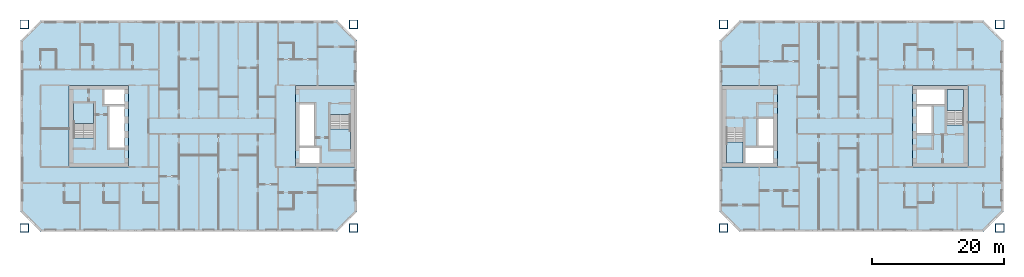
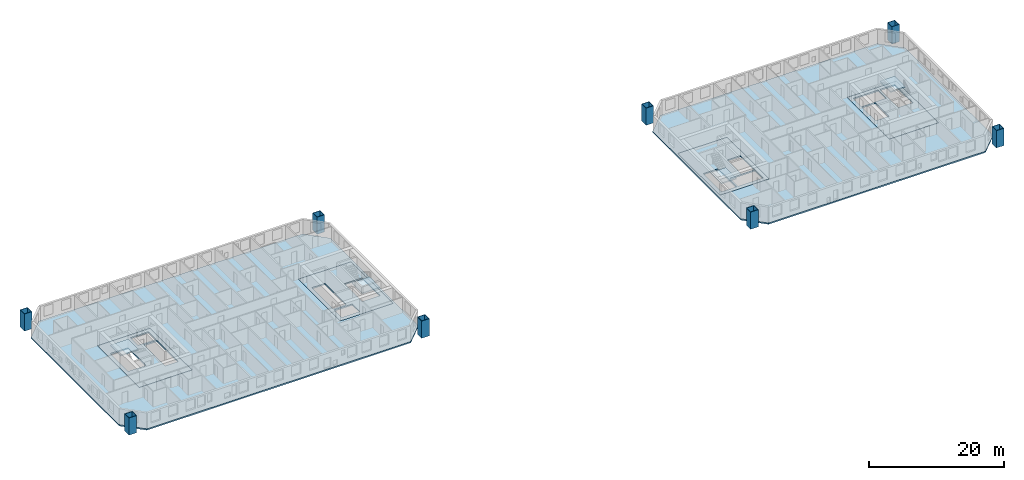
# One storey, part 1 of 17: 10 slabs, 8 columns, 4 elements without a shape of their own.
"""IFC4 building model written with IfcOpenShell, lengths in metres."""

from ifc_helpers import new_model, si_unit, direction, frame, origin, origin_2d, place, context, subcontext, project, spatial, polyline, hollow_rectangle, outline, extrude, material, layer, layer_set, material_profile, profile_set, type_object, element, aggregate, save


model = new_model("IFC4")

# Units and contexts
model_context = context("Model", 3, precision=1e-05, world=origin(), true_north=direction((0.0, 1.0)))
body_context = subcontext(model_context, "Body", "Model", "MODEL_VIEW")
ifc_project = project(units=[si_unit("LENGTHUNIT", "METRE"), si_unit("AREAUNIT", "SQUARE_METRE"), si_unit("VOLUMEUNIT", "CUBIC_METRE"), si_unit("PLANEANGLEUNIT", "RADIAN"), si_unit("MASSUNIT", "GRAM", prefix="KILO")], contexts=[model_context])

# Site, building, storey
site_placement = place(None, origin())
site = spatial("IfcSite", under=ifc_project, at=site_placement, CompositionType="ELEMENT")
building_placement = place(site_placement, origin())
building = spatial("IfcBuilding", under=site, at=building_placement, Name="Tuart Gate Housing", CompositionType="ELEMENT")
storey_placement = place(building_placement, frame((0.0, 0.0, 105.699951171875)))
storey = spatial("IfcBuildingStorey", under=building, at=storey_placement, Name="L29", CompositionType="ELEMENT", Elevation=105.699951171875)

# Columns
ifc_material_1 = material(Name="Steel Grade 350", Category="steel")
ifc_material_profile = material_profile(ifc_material_1, hollow_rectangle(XDim=1.300048828125, YDim=1.300048828125, WallThickness=0.070068359375, at=origin_2d()), Name="BOX 1300x1300x70")
ifc_profile_set = profile_set([ifc_material_profile], Name="Steel Grade 350")
column_type = type_object("IfcColumnType", Name="Mega column BOX 1300x1300x70", PredefinedType="COLUMN", material=ifc_profile_set)
for number, where, z_axis, x_axis, name in (
    (1, (25.550048828125, 54.550048828125, 0.0), (0.0, 0.0, 1.0), (1.0, 0.0, 0.0), "Mega column A south-west L29"),
    (2, (75.449951171875, 54.550048828125, 0.0), (0.0, 0.0, 1.0), (1.0, 0.0, 0.0), "Mega column A south-east L29"),
    (3, (75.449951171875, 85.449951171875, 0.0), (0.0, 0.0, 1.0), (1.0, 0.0, 0.0), "Mega column A north-east L29"),
    (4, (25.550048828125, 85.449951171875, 0.0), (0.0, 0.0, 1.0), (1.0, 0.0, 0.0), "Mega column A north-west L29"),
    (5, (131.550048828125, 54.550048828125, 0.0), (0.0, 0.0, 1.0), (1.0, 0.0, 0.0), "Mega column B south-west L29"),
    (6, (173.449951171875, 54.550048828125, 0.0), (0.0, 0.0, 1.0), (1.0, 0.0, 0.0), "Mega column B south-east L29"),
    (7, (173.449951171875, 85.449951171875, 0.0), (0.0, 0.0, 1.0), (1.0, 0.0, 0.0), "Mega column B north-east L29"),
    (8, (131.550048828125, 85.449951171875, 0.0), (0.0, 0.0, 1.0), (1.0, 0.0, 0.0), "Mega column B north-west L29"),
):
    element("IfcColumn", number, at=place(storey_placement, frame(where, z_axis=z_axis, x_axis=x_axis)), inside=storey, type_object=column_type, Name=name, PredefinedType="COLUMN", context=body_context, shape_type="SweptSolid", body=[
        extrude(hollow_rectangle(XDim=1.300048828125, YDim=1.300048828125, WallThickness=0.070068359375, at=origin_2d()), origin(), (0.0, 0.0, 1.0), 3.10009765625),
    ])

# Slabs
ifc_material_2 = material(Name="Concrete C40", Category="concrete")
ifc_layer_1 = layer(ifc_material_2, 0.25)
ifc_layer_set_1 = layer_set([ifc_layer_1], Name="Core floor slab 250")
slab_type_1 = type_object("IfcSlabType", Name="Core floor slab 250", PredefinedType="FLOOR", material=ifc_layer_set_1)
slab_1_placement = place(storey_placement, frame((0.0, 0.0, -0.25)))
element("IfcSlab", 9, at=slab_1_placement, inside=storey, type_object=slab_type_1, Name="Core floor AG", PredefinedType="FLOOR", context=body_context, shape_type="SweptSolid", body=[
    extrude(outline(polyline([(66.639892578125, 63.800048828125), (75.639892578125, 63.800048828125), (75.639892578125, 76.199951171875), (66.639892578125, 76.199951171875), (66.639892578125, 63.800048828125)]), holes=[polyline([(67.2900390625, 64.449951171875), (70.360107421875, 64.449951171875), (70.360107421875, 66.699951171875), (67.2900390625, 66.699951171875), (67.2900390625, 64.449951171875)]), polyline([(67.2900390625, 67.0), (69.5400390625, 67.0), (69.5400390625, 73.300048828125), (67.2900390625, 73.300048828125), (67.2900390625, 67.0)]), polyline([(71.93994140625, 66.5), (74.989990234375, 66.5), (74.989990234375, 71.780029296875), (71.93994140625, 71.780029296875), (71.93994140625, 66.5)])]), origin(), (0.0, 0.0, 1.0), 0.25),
])
slab_2_placement = place(storey_placement, frame((0.0, 0.0, -0.25)))
element("IfcSlab", 10, at=slab_2_placement, inside=storey, type_object=slab_type_1, Name="Core floor AK", PredefinedType="FLOOR", context=body_context, shape_type="SweptSolid", body=[
    extrude(outline(polyline([(32.360107421875, 63.800048828125), (41.360107421875, 63.800048828125), (41.360107421875, 76.199951171875), (32.360107421875, 76.199951171875), (32.360107421875, 63.800048828125)]), holes=[polyline([(40.7099609375, 75.550048828125), (37.639892578125, 75.550048828125), (37.639892578125, 73.300048828125), (40.7099609375, 73.300048828125), (40.7099609375, 75.550048828125)]), polyline([(40.7099609375, 73.0), (38.4599609375, 73.0), (38.4599609375, 66.699951171875), (40.7099609375, 66.699951171875), (40.7099609375, 73.0)]), polyline([(36.06005859375, 73.5), (33.010009765625, 73.5), (33.010009765625, 68.219970703125), (36.06005859375, 68.219970703125), (36.06005859375, 73.5)])]), origin(), (0.0, 0.0, 1.0), 0.25),
])
slab_3_placement = place(storey_placement, frame((0.0, 0.0, -0.25)))
element("IfcSlab", 11, at=slab_3_placement, inside=storey, type_object=slab_type_1, Name="Core floor BG", PredefinedType="FLOOR", context=body_context, shape_type="SweptSolid", body=[
    extrude(outline(polyline([(131.360107421875, 63.800048828125), (139.760009765625, 63.800048828125), (139.760009765625, 76.199951171875), (131.360107421875, 76.199951171875), (131.360107421875, 63.800048828125)]), holes=[polyline([(139.110107421875, 66.85009765625), (134.860107421875, 66.85009765625), (134.860107421875, 64.449951171875), (139.110107421875, 64.449951171875), (139.110107421875, 66.85009765625)]), polyline([(139.110107421875, 71.10009765625), (136.860107421875, 71.10009765625), (136.860107421875, 67.0), (139.110107421875, 67.0), (139.110107421875, 71.10009765625)]), polyline([(134.56005859375, 69.830078125), (132.010009765625, 69.830078125), (132.010009765625, 64.449951171875), (134.56005859375, 64.449951171875), (134.56005859375, 69.830078125)])]), origin(), (0.0, 0.0, 1.0), 0.25),
])
slab_4_placement = place(storey_placement, frame((0.0, 0.0, -0.25)))
element("IfcSlab", 12, at=slab_4_placement, inside=storey, type_object=slab_type_1, Name="Core floor BK", PredefinedType="FLOOR", context=body_context, shape_type="SweptSolid", body=[
    extrude(outline(polyline([(160.239990234375, 63.800048828125), (168.639892578125, 63.800048828125), (168.639892578125, 76.199951171875), (160.239990234375, 76.199951171875), (160.239990234375, 63.800048828125)]), holes=[polyline([(160.889892578125, 73.14990234375), (165.139892578125, 73.14990234375), (165.139892578125, 75.550048828125), (160.889892578125, 75.550048828125), (160.889892578125, 73.14990234375)]), polyline([(160.889892578125, 68.89990234375), (163.139892578125, 68.89990234375), (163.139892578125, 73.0), (160.889892578125, 73.0), (160.889892578125, 68.89990234375)]), polyline([(165.43994140625, 70.169921875), (167.989990234375, 70.169921875), (167.989990234375, 75.550048828125), (165.43994140625, 75.550048828125), (165.43994140625, 70.169921875)])]), origin(), (0.0, 0.0, 1.0), 0.25),
])
ifc_material_3 = material(Name="Concrete C40", Category="concrete")
ifc_layer_2 = layer(ifc_material_3, 0.25)
ifc_layer_set_2 = layer_set([ifc_layer_2], Name="Flat plate 250")
slab_type_2 = type_object("IfcSlabType", Name="Flat plate 250", PredefinedType="FLOOR", material=ifc_layer_set_2)
slab_5_placement = place(storey_placement, frame((0.0, 0.0, -0.25)))
element("IfcSlab", 13, at=slab_5_placement, inside=storey, type_object=slab_type_2, Name="Floor slab A L29", PredefinedType="FLOOR", context=body_context, shape_type="SweptSolid", body=[
    extrude(outline(polyline([(28.0, 86.0), (25.0, 83.0), (25.0, 57.0), (28.0, 54.0), (73.0, 54.0), (76.0, 57.0), (76.0, 83.0), (73.0, 86.0), (28.0, 86.0)]), holes=[polyline([(66.639892578125, 76.199951171875), (75.639892578125, 76.199951171875), (75.639892578125, 63.800048828125), (66.639892578125, 63.800048828125), (66.639892578125, 76.199951171875)]), polyline([(41.360107421875, 76.199951171875), (41.360107421875, 63.800048828125), (32.360107421875, 63.800048828125), (32.360107421875, 76.199951171875), (41.360107421875, 76.199951171875)])]), origin(), (0.0, 0.0, 1.0), 0.25),
])
slab_6_placement = place(storey_placement, frame((0.0, 0.0, -0.25)))
element("IfcSlab", 14, at=slab_6_placement, inside=storey, type_object=slab_type_2, Name="Floor slab B L29", PredefinedType="FLOOR", context=body_context, shape_type="SweptSolid", body=[
    extrude(outline(polyline([(134.0, 86.0), (131.0, 83.0), (131.0, 57.0), (134.0, 54.0), (171.0, 54.0), (174.0, 57.0), (174.0, 83.0), (171.0, 86.0), (134.0, 86.0)]), holes=[polyline([(131.360107421875, 76.199951171875), (139.760009765625, 76.199951171875), (139.760009765625, 63.800048828125), (131.360107421875, 63.800048828125), (131.360107421875, 76.199951171875)]), polyline([(168.639892578125, 76.199951171875), (168.639892578125, 63.800048828125), (160.239990234375, 63.800048828125), (160.239990234375, 76.199951171875), (168.639892578125, 76.199951171875)])]), origin(), (0.0, 0.0, 1.0), 0.25),
])

# Stair, slab
ifc_material_4 = material(Name="Concrete C40", Category="concrete")
stair_type_1 = type_object("IfcStairType", Name="Core stair 1500", PredefinedType="HALF_TURN_STAIR", material=ifc_material_4)
stair_1_placement = place(storey_placement, origin())
stair_1 = element("IfcStair", 15, at=stair_1_placement, inside=storey, type_object=stair_type_1, Name="Stair SA1", PredefinedType="HALF_TURN_STAIR")
ifc_material_5 = material(Name="Concrete C40", Category="concrete")
ifc_layer_3 = layer(ifc_material_5, 0.199951171875)
ifc_layer_set_3 = layer_set([ifc_layer_3], Name="Stair landing 200")
slab_type_3 = type_object("IfcSlabType", Name="Stair landing 200", PredefinedType="LANDING", material=ifc_layer_set_3)
slab_7_placement = place(storey_placement, frame((0.0, 0.0, 1.35009765625)))
slab_7 = element("IfcSlab", 16, at=slab_7_placement, type_object=slab_type_3, Name="SA1 landing 1", PredefinedType="LANDING", context=body_context, shape_type="SweptSolid", body=[
    extrude(outline(polyline([(71.93994140625, 66.5), (74.989990234375, 66.5), (74.989990234375, 69.56005859375), (71.93994140625, 69.56005859375), (71.93994140625, 66.5)])), origin(), (0.0, 0.0, 1.0), 0.199951171875),
])
aggregate(stair_1, [slab_7])

stair_2_placement = place(storey_placement, origin())
stair_2 = element("IfcStair", 17, at=stair_2_placement, inside=storey, type_object=stair_type_1, Name="Stair SA2", PredefinedType="HALF_TURN_STAIR")
slab_8_placement = place(storey_placement, frame((0.0, 0.0, 1.35009765625)))
slab_8 = element("IfcSlab", 18, at=slab_8_placement, type_object=slab_type_3, Name="SA2 landing 1", PredefinedType="LANDING", context=body_context, shape_type="SweptSolid", body=[
    extrude(outline(polyline([(36.06005859375, 73.5), (33.010009765625, 73.5), (33.010009765625, 70.43994140625), (36.06005859375, 70.43994140625), (36.06005859375, 73.5)])), origin(), (0.0, 0.0, 1.0), 0.199951171875),
])
aggregate(stair_2, [slab_8])

ifc_material_6 = material(Name="Concrete C40", Category="concrete")
stair_type_2 = type_object("IfcStairType", Name="Core stair 1250", PredefinedType="HALF_TURN_STAIR", material=ifc_material_6)
stair_3_placement = place(storey_placement, origin())
stair_3 = element("IfcStair", 19, at=stair_3_placement, inside=storey, type_object=stair_type_2, Name="Stair SB1", PredefinedType="HALF_TURN_STAIR")
slab_9_placement = place(storey_placement, frame((0.0, 0.0, 1.35009765625)))
slab_9 = element("IfcSlab", 20, at=slab_9_placement, type_object=slab_type_3, Name="SB1 landing 1", PredefinedType="LANDING", context=body_context, shape_type="SweptSolid", body=[
    extrude(outline(polyline([(134.56005859375, 67.610107421875), (132.010009765625, 67.610107421875), (132.010009765625, 64.449951171875), (134.56005859375, 64.449951171875), (134.56005859375, 67.610107421875)])), origin(), (0.0, 0.0, 1.0), 0.199951171875),
])
aggregate(stair_3, [slab_9])

stair_4_placement = place(storey_placement, origin())
stair_4 = element("IfcStair", 21, at=stair_4_placement, inside=storey, type_object=stair_type_2, Name="Stair SB2", PredefinedType="HALF_TURN_STAIR")
slab_10_placement = place(storey_placement, frame((0.0, 0.0, 1.35009765625)))
slab_10 = element("IfcSlab", 22, at=slab_10_placement, type_object=slab_type_3, Name="SB2 landing 1", PredefinedType="LANDING", context=body_context, shape_type="SweptSolid", body=[
    extrude(outline(polyline([(165.43994140625, 72.389892578125), (167.989990234375, 72.389892578125), (167.989990234375, 75.550048828125), (165.43994140625, 75.550048828125), (165.43994140625, 72.389892578125)])), origin(), (0.0, 0.0, 1.0), 0.199951171875),
])
aggregate(stair_4, [slab_10])

save(model, "model.ifc")
